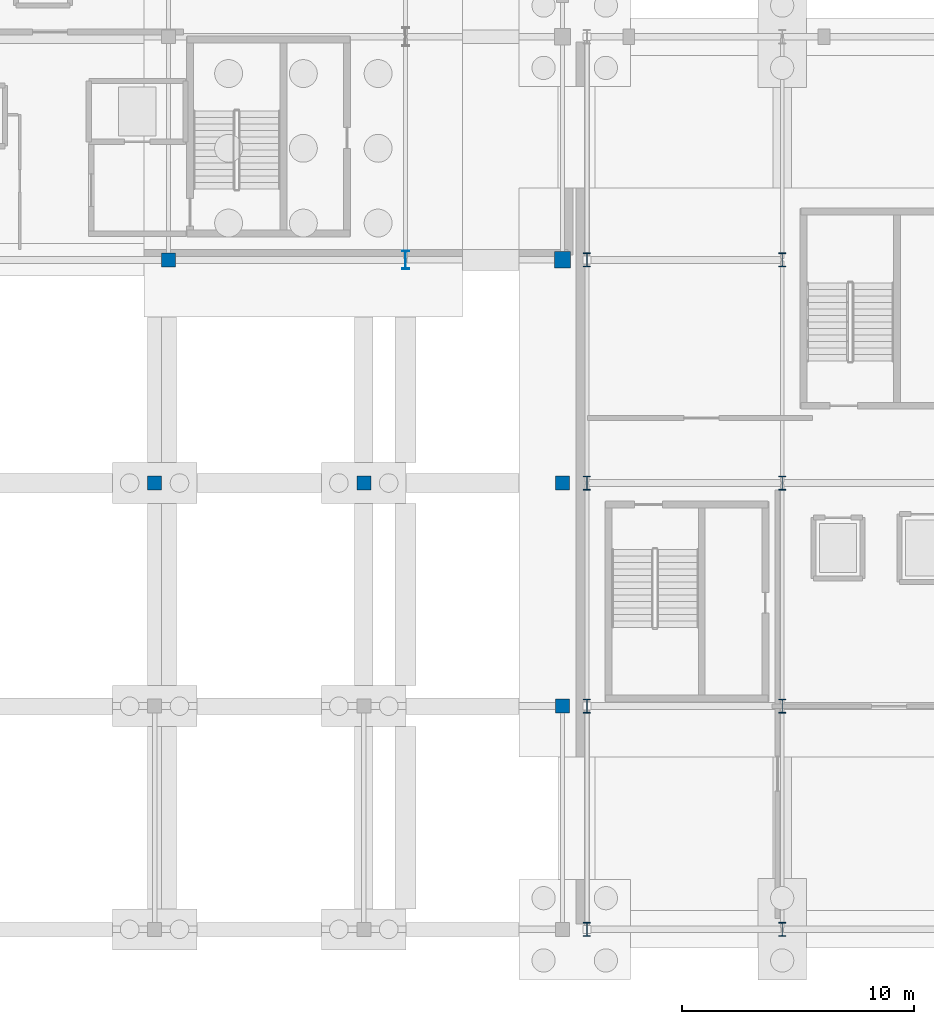
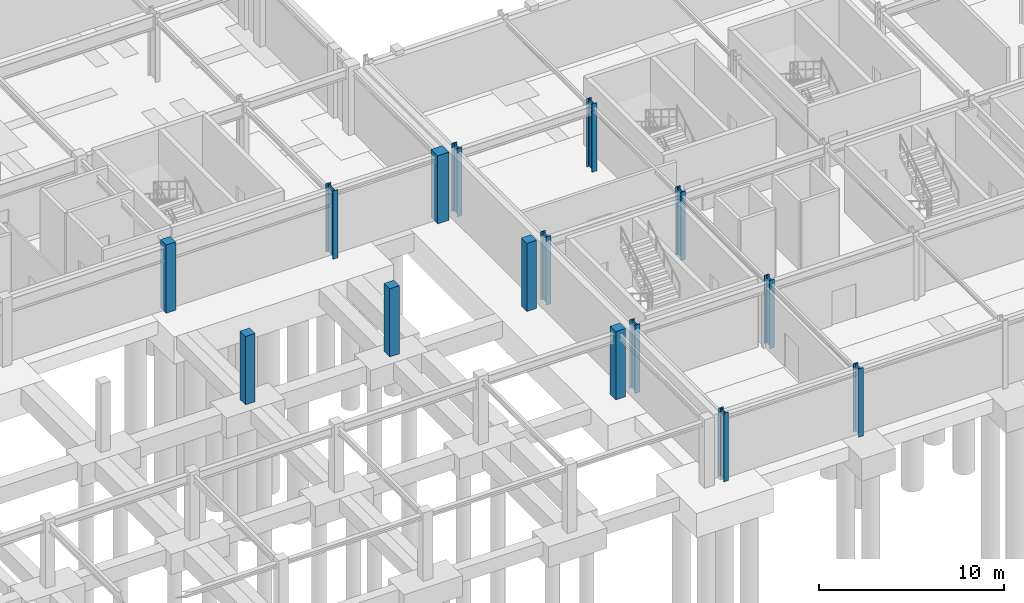
# One storey, part 13 of 59: 15 columns.
"""IFC4 building model written with IfcOpenShell, lengths in metres."""

from ifc_helpers import new_model, si_unit, direction, frame, origin, origin_2d, place, context, subcontext, project, spatial, rectangle, i_section, extrude, material, material_profile, profile_set, type_object, element, save


model = new_model("IFC4")

# Units and contexts
model_context = context("Model", 3, precision=1e-05, world=origin(), true_north=direction((0.0, 1.0)))
body_context = subcontext(model_context, "Body", "Model", "MODEL_VIEW")
ifc_project = project(units=[si_unit("LENGTHUNIT", "METRE"), si_unit("AREAUNIT", "SQUARE_METRE"), si_unit("VOLUMEUNIT", "CUBIC_METRE"), si_unit("PLANEANGLEUNIT", "RADIAN"), si_unit("MASSUNIT", "GRAM", prefix="KILO")], contexts=[model_context])

# Site, building, storey
site_placement = place(None, origin())
site = spatial("IfcSite", under=ifc_project, at=site_placement, CompositionType="ELEMENT")
building_placement = place(site_placement, origin())
building = spatial("IfcBuilding", under=site, at=building_placement, Name="Myrtia Square Station", CompositionType="ELEMENT")
storey_placement = place(building_placement, frame((0.0, 0.0, -4.5)))
storey = spatial("IfcBuildingStorey", under=building, at=storey_placement, Name="B01", CompositionType="ELEMENT", Elevation=-4.5)

# Columns
ifc_material_1 = material(Name="Steel S355", Category="steel")
ifc_material_profile_1 = material_profile(ifc_material_1, i_section(OverallWidth=0.300048828125, OverallDepth=0.60009765625, WebThickness=0.015380859375, FlangeThickness=0.030029296875, FilletRadius=0.027099609375, at=origin_2d()), Name="HEB 600")
ifc_profile_set_1 = profile_set([ifc_material_profile_1], Name="Steel S355")
column_type_1 = type_object("IfcColumnType", Name="COL-HEB600", PredefinedType="COLUMN", material=ifc_profile_set_1)
for number, where, z_axis, x_axis, name in (
    (1, (117.60009765625, 0.0, 0.0), (0.0, 0.0, 1.0), (1.0, 0.0, 0.0), "Column B01-0559"),
    (2, (117.60009765625, 9.60009765625, 0.0), (0.0, 0.0, 1.0), (1.0, 0.0, 0.0), "Column B01-0564"),
    (3, (117.60009765625, 19.199951171875, 0.0), (0.0, 0.0, 1.0), (1.0, 0.0, 0.0), "Column B01-0569"),
    (4, (117.60009765625, 28.800048828125, 0.0), (0.0, 0.0, 1.0), (1.0, 0.0, 0.0), "Column B01-0574"),
    (5, (126.0, 0.0, 0.0), (0.0, 0.0, 1.0), (1.0, 0.0, 0.0), "Column B01-0584"),
    (6, (126.0, 9.60009765625, 0.0), (0.0, 0.0, 1.0), (1.0, 0.0, 0.0), "Column B01-0589"),
    (7, (126.0, 19.199951171875, 0.0), (0.0, 0.0, 1.0), (1.0, 0.0, 0.0), "Column B01-0594"),
    (8, (126.0, 28.800048828125, 0.0), (0.0, 0.0, 1.0), (1.0, 0.0, 0.0), "Column B01-0599"),
):
    element("IfcColumn", number, at=place(storey_placement, frame(where, z_axis=z_axis, x_axis=x_axis)), inside=storey, type_object=column_type_1, Name=name, PredefinedType="COLUMN", context=body_context, shape_type="SweptSolid", body=[
        extrude(i_section(OverallWidth=0.300048828125, OverallDepth=0.60009765625, WebThickness=0.015380859375, FlangeThickness=0.030029296875, FilletRadius=0.027099609375, at=origin_2d()), origin(), (0.0, 0.0, 1.0), 4.5),
    ])
ifc_material_profile_2 = material_profile(ifc_material_1, i_section(OverallWidth=0.300048828125, OverallDepth=0.800048828125, WebThickness=0.017578125, FlangeThickness=0.032958984375, FilletRadius=0.030029296875, at=origin_2d()), Name="HEB 800")
ifc_profile_set_2 = profile_set([ifc_material_profile_2], Name="Steel S355")
column_type_2 = type_object("IfcColumnType", Name="COL-HEB800", PredefinedType="COLUMN", material=ifc_profile_set_2)
column_1_placement = place(storey_placement, frame((109.800048828125, 28.800048828125, 0.0), z_axis=(0.0, 0.0, 1.0), x_axis=(1.0, 0.0, 0.0)))
element("IfcColumn", 9, at=column_1_placement, inside=storey, type_object=column_type_2, Name="Column B01-0257", PredefinedType="COLUMN", context=body_context, shape_type="SweptSolid", body=[
    extrude(i_section(OverallWidth=0.300048828125, OverallDepth=0.800048828125, WebThickness=0.017578125, FlangeThickness=0.032958984375, FilletRadius=0.030029296875, at=origin_2d()), origin(), (0.0, 0.0, 1.0), 4.5),
])
ifc_material_2 = material(Name="Concrete C40/50", Category="concrete")
ifc_material_profile_3 = material_profile(ifc_material_2, rectangle(XDim=0.60009765625, YDim=0.60009765625, at=origin_2d()), Name="RC 600x600")
ifc_profile_set_3 = profile_set([ifc_material_profile_3], Name="Concrete C40/50")
column_type_3 = type_object("IfcColumnType", Name="COL-RC600", PredefinedType="COLUMN", material=ifc_profile_set_3)
for number, where, z_axis, x_axis, name in (
    (10, (99.60009765625, 28.800048828125, 0.0), (0.0, 0.0, 1.0), (1.0, 0.0, 0.0), "Column B01-0449"),
    (11, (99.0, 19.199951171875, 0.0), (0.0, 0.0, 1.0), (1.0, 0.0, 0.0), "Column B01-0538"),
    (12, (108.0, 19.199951171875, 0.0), (0.0, 0.0, 1.0), (1.0, 0.0, 0.0), "Column B01-0547"),
    (13, (116.550048828125, 9.60009765625, 0.0), (0.0, 0.0, 1.0), (1.0, 0.0, 0.0), "Column B01-0553"),
    (14, (116.550048828125, 19.199951171875, 0.0), (0.0, 0.0, 1.0), (1.0, 0.0, 0.0), "Column B01-0556"),
):
    element("IfcColumn", number, at=place(storey_placement, frame(where, z_axis=z_axis, x_axis=x_axis)), inside=storey, type_object=column_type_3, Name=name, PredefinedType="COLUMN", context=body_context, shape_type="SweptSolid", body=[
        extrude(rectangle(XDim=0.60009765625, YDim=0.60009765625, at=origin_2d()), origin(), (0.0, 0.0, 1.0), 4.5),
    ])
ifc_material_profile_4 = material_profile(ifc_material_2, rectangle(XDim=0.699951171875, YDim=0.699951171875, at=origin_2d()), Name="RC 700x700")
ifc_profile_set_4 = profile_set([ifc_material_profile_4], Name="Concrete C40/50")
column_type_4 = type_object("IfcColumnType", Name="COL-RC700", PredefinedType="COLUMN", material=ifc_profile_set_4)
column_2_placement = place(storey_placement, frame((116.550048828125, 28.800048828125, 0.0), z_axis=(0.0, 0.0, 1.0), x_axis=(1.0, 0.0, 0.0)))
element("IfcColumn", 15, at=column_2_placement, inside=storey, type_object=column_type_4, Name="Column B01-0246", PredefinedType="COLUMN", context=body_context, shape_type="SweptSolid", body=[
    extrude(rectangle(XDim=0.699951171875, YDim=0.699951171875, at=origin_2d()), origin(), (0.0, 0.0, 1.0), 4.5),
])

save(model, "model.ifc")
